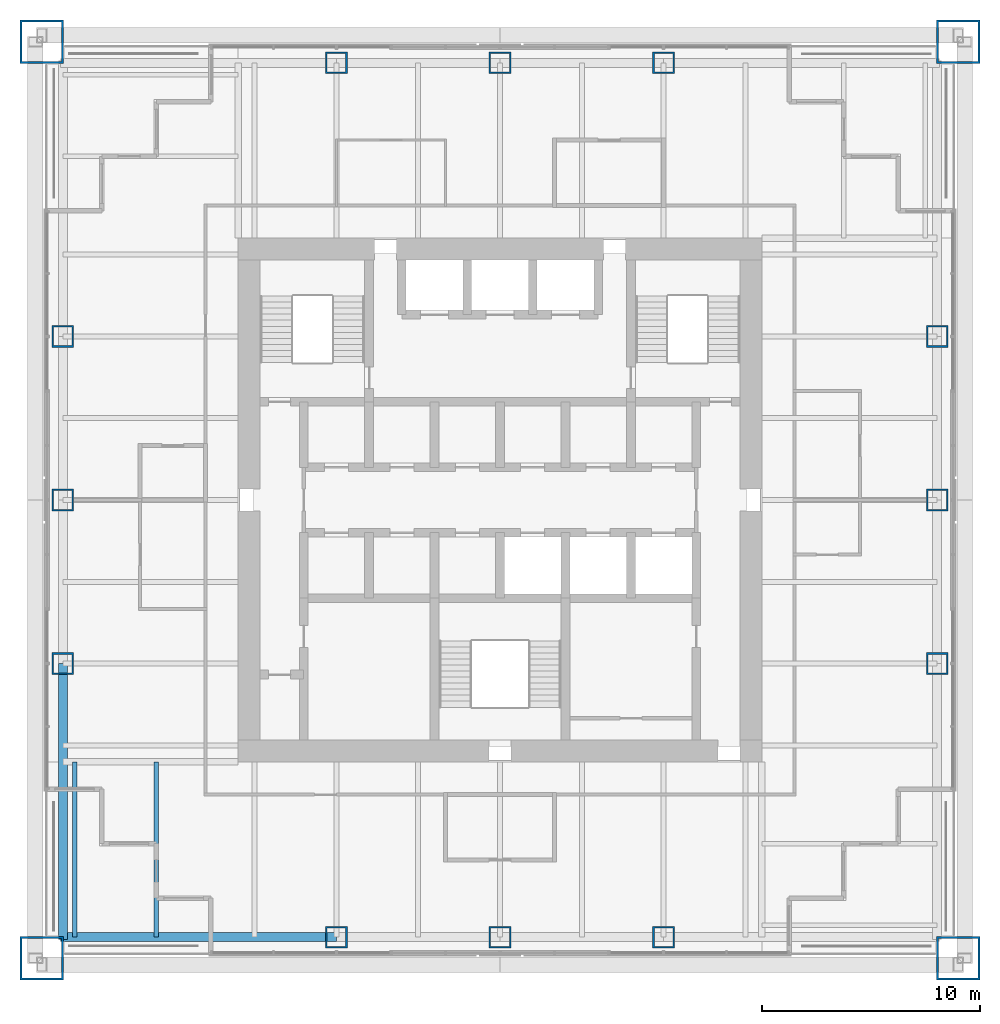
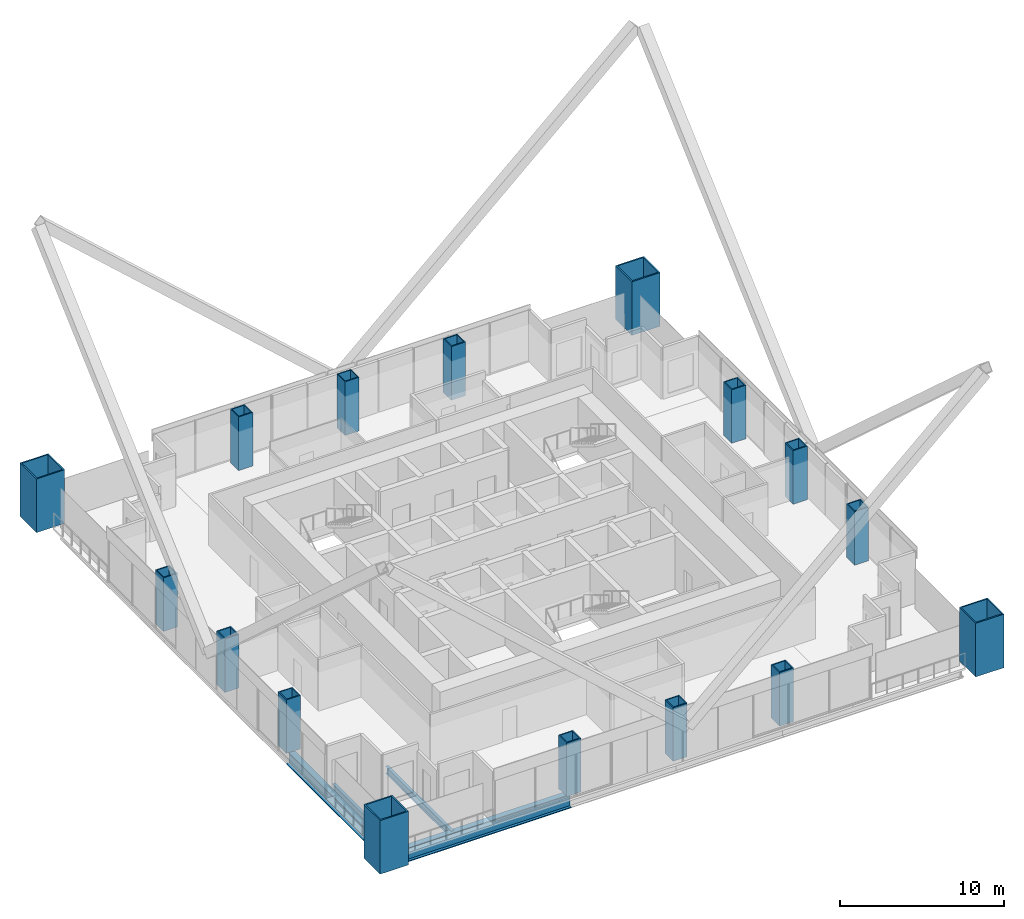
# One storey, part 1 of 19: 16 columns, 4 beams.
"""IFC4 building model written with IfcOpenShell, lengths in metres."""

from ifc_helpers import new_model, si_unit, direction, frame, origin, origin_2d, place, context, subcontext, project, spatial, hollow_rectangle, i_section, extrude, material, material_profile, profile_set, type_object, element, save


model = new_model("IFC4")

# Units and contexts
model_context = context("Model", 3, precision=1e-05, world=origin(), true_north=direction((0.0, 1.0)))
body_context = subcontext(model_context, "Body", "Model", "MODEL_VIEW")
ifc_project = project(units=[si_unit("LENGTHUNIT", "METRE"), si_unit("AREAUNIT", "SQUARE_METRE"), si_unit("VOLUMEUNIT", "CUBIC_METRE"), si_unit("PLANEANGLEUNIT", "RADIAN"), si_unit("MASSUNIT", "GRAM", prefix="KILO")], contexts=[model_context])

# Site, building, storey
site_placement = place(None, origin())
site = spatial("IfcSite", under=ifc_project, at=site_placement, CompositionType="ELEMENT")
building_placement = place(site_placement, origin())
building = spatial("IfcBuilding", under=site, at=building_placement, Name="Tarangal Relay Tower", CompositionType="ELEMENT")
storey_placement = place(building_placement, frame((0.0, 0.0, 275.89990234375)))
storey = spatial("IfcBuildingStorey", under=building, at=storey_placement, Name="L60", CompositionType="ELEMENT", Elevation=275.89990234375)

# Columns
ifc_material_1 = material(Name="Steel ASTM A572 Grade 50", Category="steel")
ifc_material_profile_1 = material_profile(ifc_material_1, hollow_rectangle(XDim=2.0, YDim=2.0, WallThickness=0.094970703125, at=origin_2d()), Name="BOX2000X2000X95")
ifc_profile_set_1 = profile_set([ifc_material_profile_1], Name="Steel ASTM A572 Grade 50")
column_type_1 = type_object("IfcColumnType", Name="Mega column BOX2000X2000X95", PredefinedType="COLUMN", material=ifc_profile_set_1)
for number, where, z_axis, x_axis, name in (
    (1, (21.0, 21.0, 0.0), (0.0, 0.0, 1.0), (1.0, 0.0, 0.0), "Mega column MC4 NE L60"),
    (2, (21.0, -21.0, 0.0), (0.0, 0.0, 1.0), (1.0, 0.0, 0.0), "Mega column MC4 SE L60"),
    (3, (-21.0, -21.0, 0.0), (0.0, 0.0, 1.0), (1.0, 0.0, 0.0), "Mega column MC4 SW L60"),
    (4, (-21.0, 21.0, 0.0), (0.0, 0.0, 1.0), (1.0, 0.0, 0.0), "Mega column MC4 NW L60"),
):
    element("IfcColumn", number, at=place(storey_placement, frame(where, z_axis=z_axis, x_axis=x_axis)), inside=storey, type_object=column_type_1, Name=name, PredefinedType="COLUMN", context=body_context, shape_type="SweptSolid", body=[
        extrude(hollow_rectangle(XDim=2.0, YDim=2.0, WallThickness=0.094970703125, at=origin_2d()), origin(), (0.0, 0.0, 1.0), 4.0),
    ])
ifc_material_profile_2 = material_profile(ifc_material_1, hollow_rectangle(XDim=1.0, YDim=1.0, WallThickness=0.074951171875, at=origin_2d()), Name="BOX1000X1000X75")
ifc_profile_set_2 = profile_set([ifc_material_profile_2], Name="Steel ASTM A572 Grade 50")
column_type_2 = type_object("IfcColumnType", Name="Perimeter column BOX1000X1000X75", PredefinedType="COLUMN", material=ifc_profile_set_2)
for number, where, z_axis, x_axis, name in (
    (5, (-7.5, 20.0400390625, 0.0), (0.0, 0.0, 1.0), (1.0, 0.0, 0.0), "Perimeter column PC5 N L60"),
    (6, (0.0, 20.0400390625, 0.0), (0.0, 0.0, 1.0), (1.0, 0.0, 0.0), "Perimeter column PC5 N L60"),
    (7, (7.5, 20.0400390625, 0.0), (0.0, 0.0, 1.0), (1.0, 0.0, 0.0), "Perimeter column PC5 N L60"),
    (8, (20.0400390625, 7.5, 0.0), (0.0, 0.0, 1.0), (1.0, 0.0, 0.0), "Perimeter column PC5 E L60"),
    (9, (20.0400390625, 0.0, 0.0), (0.0, 0.0, 1.0), (1.0, 0.0, 0.0), "Perimeter column PC5 E L60"),
    (10, (20.0400390625, -7.5, 0.0), (0.0, 0.0, 1.0), (1.0, 0.0, 0.0), "Perimeter column PC5 E L60"),
    (11, (7.5, -20.0400390625, 0.0), (0.0, 0.0, 1.0), (1.0, 0.0, 0.0), "Perimeter column PC5 S L60"),
    (12, (0.0, -20.0400390625, 0.0), (0.0, 0.0, 1.0), (1.0, 0.0, 0.0), "Perimeter column PC5 S L60"),
    (13, (-7.5, -20.0400390625, 0.0), (0.0, 0.0, 1.0), (1.0, 0.0, 0.0), "Perimeter column PC5 S L60"),
    (14, (-20.0400390625, -7.5, 0.0), (0.0, 0.0, 1.0), (1.0, 0.0, 0.0), "Perimeter column PC5 W L60"),
    (15, (-20.0400390625, 0.0, 0.0), (0.0, 0.0, 1.0), (1.0, 0.0, 0.0), "Perimeter column PC5 W L60"),
    (16, (-20.0400390625, 7.5, 0.0), (0.0, 0.0, 1.0), (1.0, 0.0, 0.0), "Perimeter column PC5 W L60"),
):
    element("IfcColumn", number, at=place(storey_placement, frame(where, z_axis=z_axis, x_axis=x_axis)), inside=storey, type_object=column_type_2, Name=name, PredefinedType="COLUMN", context=body_context, shape_type="SweptSolid", body=[
        extrude(hollow_rectangle(XDim=1.0, YDim=1.0, WallThickness=0.074951171875, at=origin_2d()), origin(), (0.0, 0.0, 1.0), 4.0),
    ])

# Beams
ifc_material_2 = material(Name="Steel ASTM A992", Category="steel")
ifc_material_profile_3 = material_profile(ifc_material_2, i_section(OverallWidth=0.209228515625, OverallDepth=0.533447265625, WebThickness=0.01025390625, FlangeThickness=0.015625, at=origin_2d()), Name="W21X62")
ifc_profile_set_3 = profile_set([ifc_material_profile_3], Name="Steel ASTM A992")
beam_type_1 = type_object("IfcBeamType", Name="Corner beam W21X62", PredefinedType="JOIST", material=ifc_profile_set_3)
for number, where, z_axis, x_axis, name in (
    (17, (-15.75, -12.0, -0.41650390625), (0.0, -1.0, 0.0), (1.0, 0.0, 0.0), "Corner beam CB12 S L60"),
    (18, (-19.5, -12.0, -0.41650390625), (0.0, -1.0, 0.0), (1.0, 0.0, 0.0), "Corner beam CB12 S L60"),
):
    element("IfcBeam", number, at=place(storey_placement, frame(where, z_axis=z_axis, x_axis=x_axis)), inside=storey, type_object=beam_type_1, Name=name, PredefinedType="JOIST", context=body_context, shape_type="SweptSolid", body=[
        extrude(i_section(OverallWidth=0.209228515625, OverallDepth=0.533447265625, WebThickness=0.01025390625, FlangeThickness=0.015625, at=origin_2d()), origin(), (0.0, 0.0, 1.0), 8.0400390625),
    ])
ifc_material_profile_4 = material_profile(ifc_material_2, i_section(OverallWidth=0.41162109375, OverallDepth=1.049072265625, WebThickness=0.033935546875, FlangeThickness=0.059814453125, at=origin_2d()), Name="W40X431")
ifc_profile_set_4 = profile_set([ifc_material_profile_4], Name="Steel ASTM A992")
beam_type_2 = type_object("IfcBeamType", Name="Edge girder W40X431", PredefinedType="SPANDREL", material=ifc_profile_set_4)
for number, where, z_axis, x_axis, name in (
    (19, (-7.5, -20.0400390625, -0.67431640625), (-1.0, 0.0, 0.0), (0.0, -1.0, 0.0), "Edge girder EG1 S L60"),
    (20, (-20.0400390625, -20.14990234375, -0.67431640625), (0.0, 1.0, 0.0), (-1.0, 0.0, 0.0), "Edge girder EG1 W L60"),
):
    element("IfcBeam", number, at=place(storey_placement, frame(where, z_axis=z_axis, x_axis=x_axis)), inside=storey, type_object=beam_type_2, Name=name, PredefinedType="SPANDREL", context=body_context, shape_type="SweptSolid", body=[
        extrude(i_section(OverallWidth=0.41162109375, OverallDepth=1.049072265625, WebThickness=0.033935546875, FlangeThickness=0.059814453125, at=origin_2d()), origin(), (0.0, 0.0, 1.0), 12.64990234375),
    ])

save(model, "model.ifc")
